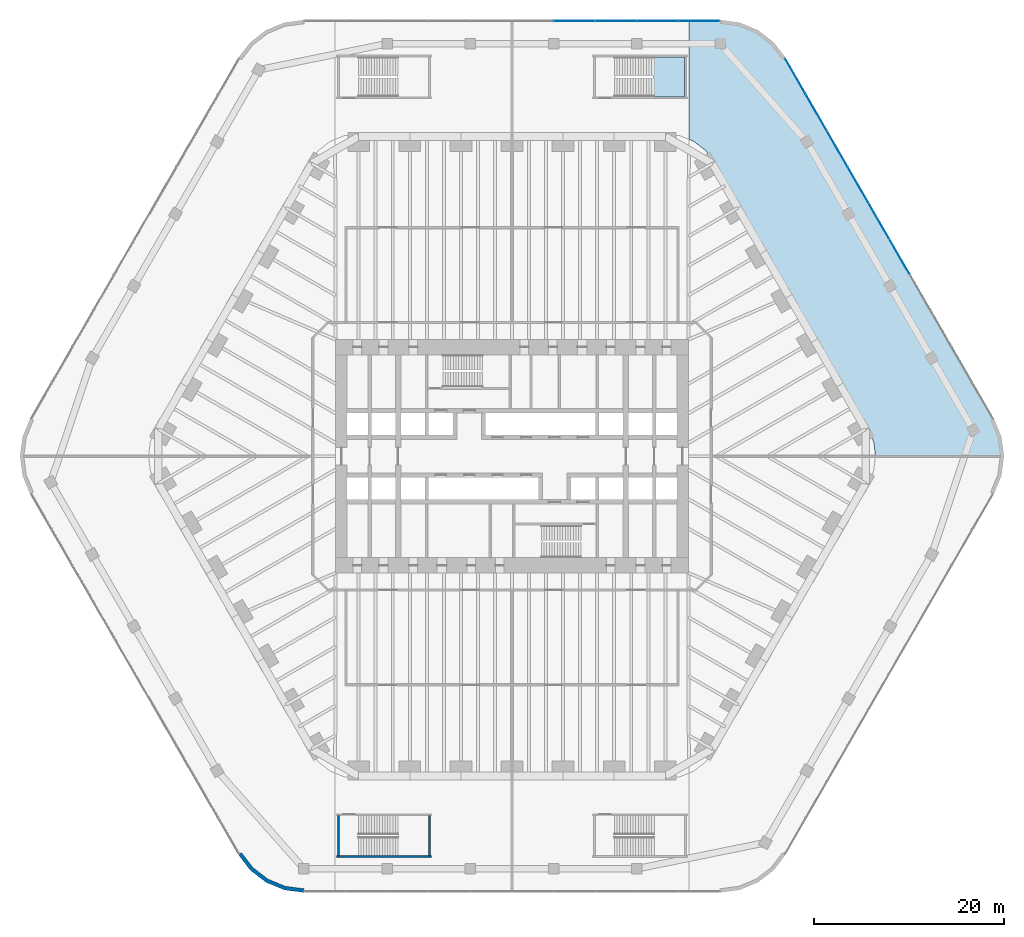
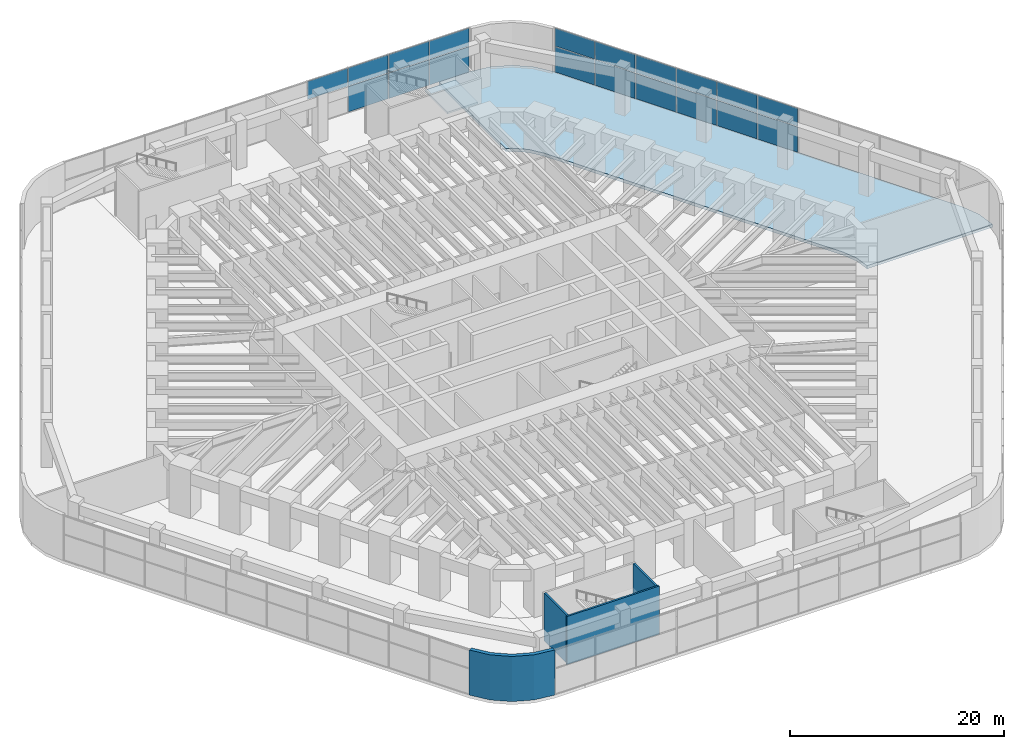
# One storey, part 25 of 31: 19 plates, 4 walls, 2 slabs, 3 elements without a shape of their own.
"""IFC4 building model written with IfcOpenShell, lengths in metres."""

import ifcopenshell
import ifcopenshell.guid

model = None  # the IFC model being written
_history = None  # IfcOwnerHistory: only IFC2X3 demands one
_inside = {}  # id of a spatial element -> (the spatial element, [elements in it])
_under = {}  # id of a project, library or spatial element -> (it, [spatial elements below it])
_declared = {}  # id of a project -> (the project, [libraries it declares])
_typed = {}  # id of a type object -> (the type object, [elements of that type])
_made_of = {}  # id of a material, layer set ... -> (it, [elements and type objects made of it])


def new_model(schema):
    """Start an empty IFC model of exactly this schema.

    Asked for "IFC4X3", IfcOpenShell would pick the latest addendum, in which some entities
    have other attributes; the version numbers below select the first issue.
    IFC2X3 requires an IfcOwnerHistory on every rooted entity: one is made here for all.
    """
    global model, _history
    if schema == "IFC4X3":
        model = ifcopenshell.file(schema_version=(4, 3, 0, 0))
    else:
        model = ifcopenshell.file(schema=schema)
    _inside.clear()
    _under.clear()
    _declared.clear()
    _typed.clear()
    _made_of.clear()
    _history = None
    if model.schema == "IFC2X3":
        org = make("IfcOrganization", Name="unknown")
        user = make(
            "IfcPersonAndOrganization",
            ThePerson=make("IfcPerson", FamilyName="unknown"),
            TheOrganization=org,
        )
        app = make(
            "IfcApplication",
            ApplicationDeveloper=org,
            Version="unknown",
            ApplicationFullName="unknown",
            ApplicationIdentifier="unknown",
        )
        _history = make(
            "IfcOwnerHistory",
            OwningUser=user,
            OwningApplication=app,
            ChangeAction="ADDED",
            CreationDate=0,
        )
    return model


def make(cls, **values):
    """One entity of the class cls with the attributes given. An attribute that is None is left unset."""
    return model.create_entity(
        cls, **{name: value for name, value in values.items() if value is not None}
    )


def rooted(cls, **values):
    """An entity with a GlobalId (a new one), such as an element, a storey or a relation."""
    return make(cls, GlobalId=ifcopenshell.guid.new(), OwnerHistory=_history, **values)


def si_unit(unit_type, name, prefix=None):
    """IfcSIUnit, for example si_unit("LENGTHUNIT", "METRE", prefix="MILLI")."""
    return make("IfcSIUnit", UnitType=unit_type, Prefix=prefix, Name=name)


def assignment(units):
    """IfcUnitAssignment: the units of a project."""
    return None if units is None else make("IfcUnitAssignment", Units=units)


def point(xyz):
    """IfcCartesianPoint."""
    return None if xyz is None else make("IfcCartesianPoint", Coordinates=xyz)


def direction(xyz):
    """IfcDirection."""
    return None if xyz is None else make("IfcDirection", DirectionRatios=xyz)


def frame(location, z_axis=None, x_axis=None):
    """IfcAxis2Placement3D, a coordinate frame: its origin and axes. An axis left out is left unset."""
    return make(
        "IfcAxis2Placement3D",
        Location=point(location),
        Axis=direction(z_axis),
        RefDirection=direction(x_axis),
    )


def frame_2d(location, x_axis=None):
    """IfcAxis2Placement2D, a coordinate frame in the plane: its origin and x axis."""
    return make(
        "IfcAxis2Placement2D", Location=point(location), RefDirection=direction(x_axis)
    )


def origin():
    """The frame at (0, 0, 0) with its axes left unset."""
    return frame((0.0, 0.0, 0.0))


def origin_2d():
    """The frame at (0, 0) in the plane with its x axis left unset."""
    return frame_2d((0.0, 0.0))


def place(relative_to, where):
    """IfcLocalPlacement: puts the frame where relative to a parent placement (None: the world)."""
    return make(
        "IfcLocalPlacement", PlacementRelTo=relative_to, RelativePlacement=where
    )


def context(
    kind, dimensions, precision=None, world=None, true_north=None, identifier=None
):
    """IfcGeometricRepresentationContext, for example the 3D "Model" context."""
    return make(
        "IfcGeometricRepresentationContext",
        ContextIdentifier=identifier,
        ContextType=kind,
        CoordinateSpaceDimension=dimensions,
        Precision=precision,
        WorldCoordinateSystem=world,
        TrueNorth=true_north,
    )


def subcontext(parent, identifier, kind, view, scale=None):
    """IfcGeometricRepresentationSubContext, for example "Body" below "Model"."""
    return make(
        "IfcGeometricRepresentationSubContext",
        ContextIdentifier=identifier,
        ContextType=kind,
        ParentContext=parent,
        TargetScale=scale,
        TargetView=view,
    )


def project(units=None, contexts=None):
    """IfcProject with its units and contexts."""
    return rooted(
        "IfcProject",
        Name="project",
        RepresentationContexts=contexts,
        UnitsInContext=assignment(units),
    )


def spatial(cls, under=None, at=None, **own):
    """A site, building, storey or space (cls), placed at a placement, below another one or the project."""
    s = rooted(cls, ObjectPlacement=at, **own)
    if under is not None:
        _under.setdefault(under.id(), (under, []))[1].append(s)
    return s


def polyline(points):
    """IfcPolyline through the points."""
    return make("IfcPolyline", Points=[point(p) for p in points])


def profile(cls, at=None, kind="AREA", **sizes):
    """A parametric profile (cls). Its sizes go by their IFC names, for example OverallWidth=200.0."""
    return make(cls, ProfileType=kind, Position=at, **sizes)


def rectangle(**sizes):
    """IfcRectangleProfileDef."""
    return profile("IfcRectangleProfileDef", **sizes)


def outline(outer, holes=None, kind="AREA"):
    """IfcArbitraryClosedProfileDef: a profile drawn as a closed curve; with holes, ...WithVoids."""
    if holes is None:
        return make("IfcArbitraryClosedProfileDef", ProfileType=kind, OuterCurve=outer)
    return make(
        "IfcArbitraryProfileDefWithVoids",
        ProfileType=kind,
        OuterCurve=outer,
        InnerCurves=holes,
    )


def extrude(swept, where, along, depth):
    """IfcExtrudedAreaSolid: the profile swept, set in the frame where, extruded along a direction by depth."""
    return make(
        "IfcExtrudedAreaSolid",
        SweptArea=swept,
        Position=where,
        ExtrudedDirection=direction(along),
        Depth=depth,
    )


def shape(context_of_items, identifier, shape_type, items):
    """IfcShapeRepresentation: the items that make up one representation, for example the "Body"."""
    return make(
        "IfcShapeRepresentation",
        ContextOfItems=context_of_items,
        RepresentationIdentifier=identifier,
        RepresentationType=shape_type,
        Items=items,
    )


def material(Name=None, Category=None):
    """IfcMaterial."""
    return make("IfcMaterial", Name=Name, Category=Category)


def layer(
    of_material, thickness, ventilated=None, Name=None, Category=None, Priority=None
):
    """IfcMaterialLayer: one layer of a wall or slab, of a material (None: an air gap)."""
    return make(
        "IfcMaterialLayer",
        Material=of_material,
        LayerThickness=thickness,
        IsVentilated=ventilated,
        Name=Name,
        Category=Category,
        Priority=Priority,
    )


def layer_set(layers, Name=None):
    """IfcMaterialLayerSet."""
    return make("IfcMaterialLayerSet", MaterialLayers=layers, LayerSetName=Name)


def made_of(thing, what):
    """Note that an element or type object is made of a material, layer set ...; save() writes the relation."""
    if what is not None:
        _made_of.setdefault(what.id(), (what, []))[1].append(thing)
    return thing


def type_object(cls, material=None, **own):
    """A type object (cls), such as IfcWallType, which elements share."""
    return made_of(rooted(cls, **own), material)


def element(
    cls,
    number,
    at=None,
    inside=None,
    cuts=None,
    type_object=None,
    material=None,
    context=None,
    identifier="Body",
    shape_type=None,
    held_by="IfcProductDefinitionShape",
    body=None,
    shapes=None,
    **own,
):
    """One element of the class cls, such as IfcWall. Its Tag is "e" and its number.

    at: its placement. inside: the storey or other place that contains it. cuts: it is an
    opening in that element (IfcRelVoidsElement). A single representation is given by context,
    identifier, shape_type and body (its items); several are given by shapes. held_by: the class
    of the entity that holds the representations. save() writes the other relations.
    """
    e = rooted(cls, Tag="e%d" % number, ObjectPlacement=at, **own)
    if body is not None:
        shapes = [shape(context, identifier, shape_type, body)]
    if shapes is not None:
        e.Representation = make(held_by, Representations=shapes)
    if inside is not None:
        _inside.setdefault(inside.id(), (inside, []))[1].append(e)
    if cuts is not None:
        rooted(
            "IfcRelVoidsElement", RelatingBuildingElement=cuts, RelatedOpeningElement=e
        )
    if type_object is not None:
        _typed.setdefault(type_object.id(), (type_object, []))[1].append(e)
    return made_of(e, material)


def aggregate(whole, parts):
    """IfcRelAggregates: a whole, such as a stair, and the parts it consists of."""
    return rooted("IfcRelAggregates", RelatingObject=whole, RelatedObjects=parts)


def save(model, path):
    """Write the relations noted so far, then the file.

    IfcRelAggregates (storeys below a building ...), IfcRelContainedInSpatialStructure (elements
    in a storey), IfcRelDefinesByType, IfcRelAssociatesMaterial and IfcRelDeclares: one each for
    every whole, place, type object, material and project.
    """
    for whole, parts in _under.values():
        aggregate(whole, parts)
    for where, things in _inside.values():
        rooted(
            "IfcRelContainedInSpatialStructure",
            RelatedElements=things,
            RelatingStructure=where,
        )
    for kind, things in _typed.values():
        rooted("IfcRelDefinesByType", RelatedObjects=things, RelatingType=kind)
    for what, things in _made_of.values():
        rooted("IfcRelAssociatesMaterial", RelatedObjects=things, RelatingMaterial=what)
    for by, libraries in _declared.values():
        rooted("IfcRelDeclares", RelatingContext=by, RelatedDefinitions=libraries)
    model.write(path)


model = new_model("IFC4")

# Units and contexts
model_context = context("Model", 3, precision=1e-05, world=origin(), true_north=direction((0.0, 1.0)))
body_context = subcontext(model_context, "Body", "Model", "MODEL_VIEW")
ifc_project = project(units=[si_unit("LENGTHUNIT", "METRE"), si_unit("AREAUNIT", "SQUARE_METRE"), si_unit("VOLUMEUNIT", "CUBIC_METRE"), si_unit("PLANEANGLEUNIT", "RADIAN"), si_unit("MASSUNIT", "GRAM", prefix="KILO")], contexts=[model_context])

# Site, building, storey
site_placement = place(None, origin())
site = spatial("IfcSite", under=ifc_project, at=site_placement, CompositionType="ELEMENT")
building_placement = place(site_placement, origin())
building = spatial("IfcBuilding", under=site, at=building_placement, Name="Tarfa Lantern Tower", CompositionType="ELEMENT")
storey_placement = place(building_placement, frame((0.0, 0.0, 13.0)))
storey = spatial("IfcBuildingStorey", under=building, at=storey_placement, Name="L02", CompositionType="ELEMENT", Elevation=13.0)

# Curtain wall, plates
ifc_material_1 = material(Name="Aluminium framed curtain wall", Category="aluminium")
curtain_wall_type = type_object("IfcCurtainWallType", Name="CW7 PODIUM GLAZING 5150", PredefinedType="USERDEFINED", material=ifc_material_1)
curtain_wall_1_placement = place(storey_placement, origin())
curtain_wall_1 = element("IfcCurtainWall", 1, at=curtain_wall_1_placement, inside=storey, type_object=curtain_wall_type, Name="CW7 NE L02", ObjectType="CURTAIN WALL", PredefinedType="USERDEFINED")
ifc_material_2 = material(Name="Laminated double glazing", Category="glass")
ifc_layer_1 = layer(ifc_material_2, 0.028076171875)
ifc_layer_set_1 = layer_set([ifc_layer_1], Name="CWP1 DOUBLE GLAZED PANEL")
plate_type = type_object("IfcPlateType", Name="CWP1 DOUBLE GLAZED PANEL", PredefinedType="CURTAIN_PANEL", material=ifc_layer_set_1)
plate_1_placement = place(storey_placement, frame((40.847412109375, 21.050048828125, 0.06494140625), z_axis=(0.0, 0.0, 1.0), x_axis=(-0.5, 0.866025403784, 0.0)))
plate_1 = element("IfcPlate", 2, at=plate_1_placement, type_object=plate_type, Name="CW7 panel 5.1", PredefinedType="CURTAIN_PANEL", context=body_context, shape_type="SweptSolid", body=[
    extrude(rectangle(XDim=4.32275390625, YDim=0.028076171875, at=origin_2d()), origin(), (0.0, 0.0, 1.0), 2.902587890625),
])
plate_2_placement = place(storey_placement, frame((40.847412109375, 21.050048828125, 3.03271484375), z_axis=(0.0, 0.0, 1.0), x_axis=(-0.5, 0.866025403784, 0.0)))
plate_2 = element("IfcPlate", 3, at=plate_2_placement, type_object=plate_type, Name="CW7 panel 5.2", PredefinedType="CURTAIN_PANEL", context=body_context, shape_type="SweptSolid", body=[
    extrude(rectangle(XDim=4.32275390625, YDim=0.028076171875, at=origin_2d()), origin(), (0.0, 0.0, 1.0), 2.052490234375),
])
plate_3_placement = place(storey_placement, frame((38.653564453125, 24.85009765625, 0.06494140625), z_axis=(0.0, 0.0, 1.0), x_axis=(-0.5, 0.866025403784, 0.0)))
plate_3 = element("IfcPlate", 4, at=plate_3_placement, type_object=plate_type, Name="CW7 panel 6.1", PredefinedType="CURTAIN_PANEL", context=body_context, shape_type="SweptSolid", body=[
    extrude(rectangle(XDim=4.32275390625, YDim=0.028076171875, at=origin_2d()), origin(), (0.0, 0.0, 1.0), 2.902587890625),
])
plate_4_placement = place(storey_placement, frame((38.653564453125, 24.85009765625, 3.03271484375), z_axis=(0.0, 0.0, 1.0), x_axis=(-0.5, 0.866025403784, 0.0)))
plate_4 = element("IfcPlate", 5, at=plate_4_placement, type_object=plate_type, Name="CW7 panel 6.2", PredefinedType="CURTAIN_PANEL", context=body_context, shape_type="SweptSolid", body=[
    extrude(rectangle(XDim=4.32275390625, YDim=0.028076171875, at=origin_2d()), origin(), (0.0, 0.0, 1.0), 2.052490234375),
])
plate_5_placement = place(storey_placement, frame((36.459716796875, 28.64990234375, 0.06494140625), z_axis=(0.0, 0.0, 1.0), x_axis=(-0.5, 0.866025403784, 0.0)))
plate_5 = element("IfcPlate", 6, at=plate_5_placement, type_object=plate_type, Name="CW7 panel 7.1", PredefinedType="CURTAIN_PANEL", context=body_context, shape_type="SweptSolid", body=[
    extrude(rectangle(XDim=4.32275390625, YDim=0.028076171875, at=origin_2d()), origin(), (0.0, 0.0, 1.0), 2.902587890625),
])
plate_6_placement = place(storey_placement, frame((36.459716796875, 28.64990234375, 3.03271484375), z_axis=(0.0, 0.0, 1.0), x_axis=(-0.5, 0.866025403784, 0.0)))
plate_6 = element("IfcPlate", 7, at=plate_6_placement, type_object=plate_type, Name="CW7 panel 7.2", PredefinedType="CURTAIN_PANEL", context=body_context, shape_type="SweptSolid", body=[
    extrude(rectangle(XDim=4.32275390625, YDim=0.028076171875, at=origin_2d()), origin(), (0.0, 0.0, 1.0), 2.052490234375),
])
plate_7_placement = place(storey_placement, frame((34.265625, 32.449951171875, 0.06494140625), z_axis=(0.0, 0.0, 1.0), x_axis=(-0.5, 0.866025403784, 0.0)))
plate_7 = element("IfcPlate", 8, at=plate_7_placement, type_object=plate_type, Name="CW7 panel 8.1", PredefinedType="CURTAIN_PANEL", context=body_context, shape_type="SweptSolid", body=[
    extrude(rectangle(XDim=4.32275390625, YDim=0.028076171875, at=origin_2d()), origin(), (0.0, 0.0, 1.0), 2.902587890625),
])
plate_8_placement = place(storey_placement, frame((34.265625, 32.449951171875, 3.03271484375), z_axis=(0.0, 0.0, 1.0), x_axis=(-0.5, 0.866025403784, 0.0)))
plate_8 = element("IfcPlate", 9, at=plate_8_placement, type_object=plate_type, Name="CW7 panel 8.2", PredefinedType="CURTAIN_PANEL", context=body_context, shape_type="SweptSolid", body=[
    extrude(rectangle(XDim=4.32275390625, YDim=0.028076171875, at=origin_2d()), origin(), (0.0, 0.0, 1.0), 2.052490234375),
])
plate_9_placement = place(storey_placement, frame((32.07177734375, 36.25, 0.06494140625), z_axis=(0.0, 0.0, 1.0), x_axis=(-0.5, 0.866025403784, 0.0)))
plate_9 = element("IfcPlate", 10, at=plate_9_placement, type_object=plate_type, Name="CW7 panel 9.1", PredefinedType="CURTAIN_PANEL", context=body_context, shape_type="SweptSolid", body=[
    extrude(rectangle(XDim=4.32275390625, YDim=0.028076171875, at=origin_2d()), origin(), (0.0, 0.0, 1.0), 2.902587890625),
])
plate_10_placement = place(storey_placement, frame((32.07177734375, 36.25, 3.03271484375), z_axis=(0.0, 0.0, 1.0), x_axis=(-0.5, 0.866025403784, 0.0)))
plate_10 = element("IfcPlate", 11, at=plate_10_placement, type_object=plate_type, Name="CW7 panel 9.2", PredefinedType="CURTAIN_PANEL", context=body_context, shape_type="SweptSolid", body=[
    extrude(rectangle(XDim=4.32275390625, YDim=0.028076171875, at=origin_2d()), origin(), (0.0, 0.0, 1.0), 2.052490234375),
])
plate_11_placement = place(storey_placement, frame((29.885986328125, 40.035888671875, 0.06494140625), z_axis=(0.0, 0.0, 1.0), x_axis=(-0.5, 0.866025403784, 0.0)))
plate_11 = element("IfcPlate", 12, at=plate_11_placement, type_object=plate_type, Name="CW7 panel 10.1", PredefinedType="CURTAIN_PANEL", context=body_context, shape_type="SweptSolid", body=[
    extrude(rectangle(XDim=4.290283203125, YDim=0.028076171875, at=origin_2d()), origin(), (0.0, 0.0, 1.0), 2.902587890625),
])
plate_12_placement = place(storey_placement, frame((29.885986328125, 40.035888671875, 3.03271484375), z_axis=(0.0, 0.0, 1.0), x_axis=(-0.5, 0.866025403784, 0.0)))
plate_12 = element("IfcPlate", 13, at=plate_12_placement, type_object=plate_type, Name="CW7 panel 10.2", PredefinedType="CURTAIN_PANEL", context=body_context, shape_type="SweptSolid", body=[
    extrude(rectangle(XDim=4.290283203125, YDim=0.028076171875, at=origin_2d()), origin(), (0.0, 0.0, 1.0), 2.052490234375),
])
aggregate(curtain_wall_1, [plate_1, plate_2, plate_3, plate_4, plate_5, plate_6, plate_7, plate_8, plate_9, plate_10, plate_11, plate_12])

curtain_wall_2_placement = place(storey_placement, origin())
curtain_wall_2 = element("IfcCurtainWall", 14, at=curtain_wall_2_placement, inside=storey, type_object=curtain_wall_type, Name="CW7 N L02", ObjectType="CURTAIN WALL", PredefinedType="USERDEFINED")
plate_13_placement = place(storey_placement, frame((19.729248046875, 45.89990234375, 0.06494140625), z_axis=(0.0, 0.0, 1.0), x_axis=(-1.0, 0.0, 0.0)))
plate_13 = element("IfcPlate", 15, at=plate_13_placement, type_object=plate_type, Name="CW7 panel 1.1", PredefinedType="CURTAIN_PANEL", context=body_context, shape_type="SweptSolid", body=[
    extrude(rectangle(XDim=4.290283203125, YDim=0.028076171875, at=origin_2d()), origin(), (0.0, 0.0, 1.0), 2.902587890625),
])
plate_14_placement = place(storey_placement, frame((19.729248046875, 45.89990234375, 3.03271484375), z_axis=(0.0, 0.0, 1.0), x_axis=(-1.0, 0.0, 0.0)))
plate_14 = element("IfcPlate", 16, at=plate_14_placement, type_object=plate_type, Name="CW7 panel 1.2", PredefinedType="CURTAIN_PANEL", context=body_context, shape_type="SweptSolid", body=[
    extrude(rectangle(XDim=4.290283203125, YDim=0.028076171875, at=origin_2d()), origin(), (0.0, 0.0, 1.0), 2.052490234375),
])
plate_15_placement = place(storey_placement, frame((15.357421875, 45.89990234375, 0.06494140625), z_axis=(0.0, 0.0, 1.0), x_axis=(-1.0, 0.0, 0.0)))
plate_15 = element("IfcPlate", 17, at=plate_15_placement, type_object=plate_type, Name="CW7 panel 2.1", PredefinedType="CURTAIN_PANEL", context=body_context, shape_type="SweptSolid", body=[
    extrude(rectangle(XDim=4.32275390625, YDim=0.028076171875, at=origin_2d()), origin(), (0.0, 0.0, 1.0), 2.902587890625),
])
plate_16_placement = place(storey_placement, frame((15.357421875, 45.89990234375, 3.03271484375), z_axis=(0.0, 0.0, 1.0), x_axis=(-1.0, 0.0, 0.0)))
plate_16 = element("IfcPlate", 18, at=plate_16_placement, type_object=plate_type, Name="CW7 panel 2.2", PredefinedType="CURTAIN_PANEL", context=body_context, shape_type="SweptSolid", body=[
    extrude(rectangle(XDim=4.32275390625, YDim=0.028076171875, at=origin_2d()), origin(), (0.0, 0.0, 1.0), 2.052490234375),
])
plate_17_placement = place(storey_placement, frame((10.9697265625, 45.89990234375, 0.06494140625), z_axis=(0.0, 0.0, 1.0), x_axis=(-1.0, 0.0, 0.0)))
plate_17 = element("IfcPlate", 19, at=plate_17_placement, type_object=plate_type, Name="CW7 panel 3.1", PredefinedType="CURTAIN_PANEL", context=body_context, shape_type="SweptSolid", body=[
    extrude(rectangle(XDim=4.32275390625, YDim=0.028076171875, at=origin_2d()), origin(), (0.0, 0.0, 1.0), 2.902587890625),
])
plate_18_placement = place(storey_placement, frame((10.9697265625, 45.89990234375, 3.03271484375), z_axis=(0.0, 0.0, 1.0), x_axis=(-1.0, 0.0, 0.0)))
plate_18 = element("IfcPlate", 20, at=plate_18_placement, type_object=plate_type, Name="CW7 panel 3.2", PredefinedType="CURTAIN_PANEL", context=body_context, shape_type="SweptSolid", body=[
    extrude(rectangle(XDim=4.32275390625, YDim=0.028076171875, at=origin_2d()), origin(), (0.0, 0.0, 1.0), 2.052490234375),
])
plate_19_placement = place(storey_placement, frame((6.581787109375, 45.89990234375, 3.03271484375), z_axis=(0.0, 0.0, 1.0), x_axis=(-1.0, 0.0, 0.0)))
plate_19 = element("IfcPlate", 21, at=plate_19_placement, type_object=plate_type, Name="CW7 panel 4.2", PredefinedType="CURTAIN_PANEL", context=body_context, shape_type="SweptSolid", body=[
    extrude(rectangle(XDim=4.32275390625, YDim=0.028076171875, at=origin_2d()), origin(), (0.0, 0.0, 1.0), 2.052490234375),
])
aggregate(curtain_wall_2, [plate_13, plate_14, plate_15, plate_16, plate_17, plate_18, plate_19])

# Slab
ifc_material_3 = material(Name="Concrete C40/50", Category="concrete")
ifc_layer_2 = layer(ifc_material_3, 0.35009765625)
ifc_layer_set_2 = layer_set([ifc_layer_2], Name="FS3 FLOOR SLAB 350")
slab_type_1 = type_object("IfcSlabType", Name="FS3 FLOOR SLAB 350", PredefinedType="FLOOR", material=ifc_layer_set_2)
slab_1_placement = place(storey_placement, frame((0.0, 0.0, -0.35009765625)))
element("IfcSlab", 22, at=slab_1_placement, inside=storey, type_object=slab_type_1, Name="Floor slab L02 podium-NE bay", PredefinedType="FLOOR", context=body_context, shape_type="SweptSolid", body=[
    extrude(outline(polyline([(50.804931640625, 3.9990234375), (28.865966796875, 41.998779296875), (27.5947265625, 43.655517578125), (25.938232421875, 44.926513671875), (24.00927734375, 45.725341796875), (21.939208984375, 45.998046875), (18.673828125, 45.998046875), (18.64697265625, 33.4130859375), (19.166748046875, 33.197998046875), (20.409912109375, 32.244140625), (21.363525390625, 31.001220703125), (37.529541015625, 3.0009765625), (38.129150390625, 1.553466796875), (38.333251953125, 0.001953125), (51.876220703125, 0.001953125), (51.60400390625, 2.070068359375), (50.804931640625, 3.9990234375)])), origin(), (0.0, 0.0, 1.0), 0.35009765625),
])

# Stair, slab
stair_type = type_object("IfcStairType", Name="ST-T8 HALF-TURN STAIR 5500 RISE", PredefinedType="HALF_TURN_STAIR", material=ifc_material_3)
stair_placement = place(storey_placement, origin())
stair = element("IfcStair", 23, at=stair_placement, inside=storey, type_object=stair_type, Name="Stair ST3", PredefinedType="HALF_TURN_STAIR")
ifc_layer_3 = layer(ifc_material_3, 0.199951171875)
ifc_layer_set_3 = layer_set([ifc_layer_3], Name="SL1 STAIR LANDING 200")
slab_type_2 = type_object("IfcSlabType", Name="SL1 STAIR LANDING 200", PredefinedType="LANDING", material=ifc_layer_set_3)
slab_2_placement = place(storey_placement, frame((0.0, 0.0, 2.550048828125)))
slab_2 = element("IfcSlab", 24, at=slab_2_placement, type_object=slab_type_2, Name="ST3 landing 1", PredefinedType="LANDING", context=body_context, shape_type="SweptSolid", body=[
    extrude(outline(polyline([(14.89990234375, 37.89990234375), (18.199951171875, 37.89990234375), (18.199951171875, 42.10009765625), (14.89990234375, 42.10009765625), (14.89990234375, 37.89990234375)])), origin(), (0.0, 0.0, 1.0), 0.199951171875),
])
aggregate(stair, [slab_2])

# Walls
ifc_material_4 = material(Name="Limestone cladding on blockwork", Category="masonry")
ifc_layer_4 = layer(ifc_material_4, 0.39990234375)
ifc_layer_set_4 = layer_set([ifc_layer_4], Name="EW2 CURVED STONE CORNER 400")
wall_type_1 = type_object("IfcWallType", Name="EW2 CURVED STONE CORNER 400", PredefinedType="SOLIDWALL", material=ifc_layer_set_4)
wall_1_placement = place(storey_placement, origin())
element("IfcWall", 25, at=wall_1_placement, inside=storey, type_object=wall_type_1, Name="Stone corner SW-S", PredefinedType="SOLIDWALL", context=body_context, shape_type="SweptSolid", body=[
    extrude(outline(polyline([(-28.867431640625, -42.0), (-27.59619140625, -43.65673828125), (-25.939208984375, -44.92822265625), (-24.009765625, -45.727294921875), (-21.939208984375, -46.0), (-21.939208984375, -45.60009765625), (-23.90625, -45.341064453125), (-25.7392578125, -44.581787109375), (-27.313232421875, -43.3740234375), (-28.52099609375, -41.800048828125), (-28.867431640625, -42.0)])), origin(), (0.0, 0.0, 1.0), 5.14990234375),
])
ifc_material_5 = material(Name="Concrete C80/95", Category="concrete")
ifc_layer_5 = layer(ifc_material_5, 0.199951171875)
ifc_layer_set_5 = layer_set([ifc_layer_5], Name="SW12 CORE WALL 200")
wall_type_2 = type_object("IfcWallType", Name="SW12 CORE WALL 200", PredefinedType="SHEAR", material=ifc_layer_set_5)
wall_2_placement = place(storey_placement, frame((-18.5, -42.199951171875, 0.0), z_axis=(0.0, 0.0, 1.0), x_axis=(1.0, 0.0, 0.0)))
element("IfcWall", 26, at=wall_2_placement, inside=storey, type_object=wall_type_2, Name="Stair ST5 shaft wall", PredefinedType="SHEAR", context=body_context, shape_type="SweptSolid", body=[
    extrude(rectangle(XDim=10.0, YDim=0.199951171875, at=frame_2d((5.0, 0.0))), origin(), (0.0, 0.0, 1.0), 5.5),
])
for number, where, z_axis, x_axis, name in (
    (27, (-18.300048828125, -37.89990234375, 0.0), (0.0, 0.0, 1.0), (0.0, -1.0, 0.0), "Stair ST5 shaft wall"),
    (28, (-8.699951171875, -42.10009765625, 0.0), (0.0, 0.0, 1.0), (0.0, 1.0, 0.0), "Stair ST5 shaft wall"),
):
    element("IfcWall", number, at=place(storey_placement, frame(where, z_axis=z_axis, x_axis=x_axis)), inside=storey, type_object=wall_type_2, Name=name, PredefinedType="SHEAR", context=body_context, shape_type="SweptSolid", body=[
        extrude(rectangle(XDim=4.2001953125, YDim=0.199951171875, at=frame_2d((2.10009765625, 0.0))), origin(), (0.0, 0.0, 1.0), 5.5),
    ])

save(model, "model.ifc")
